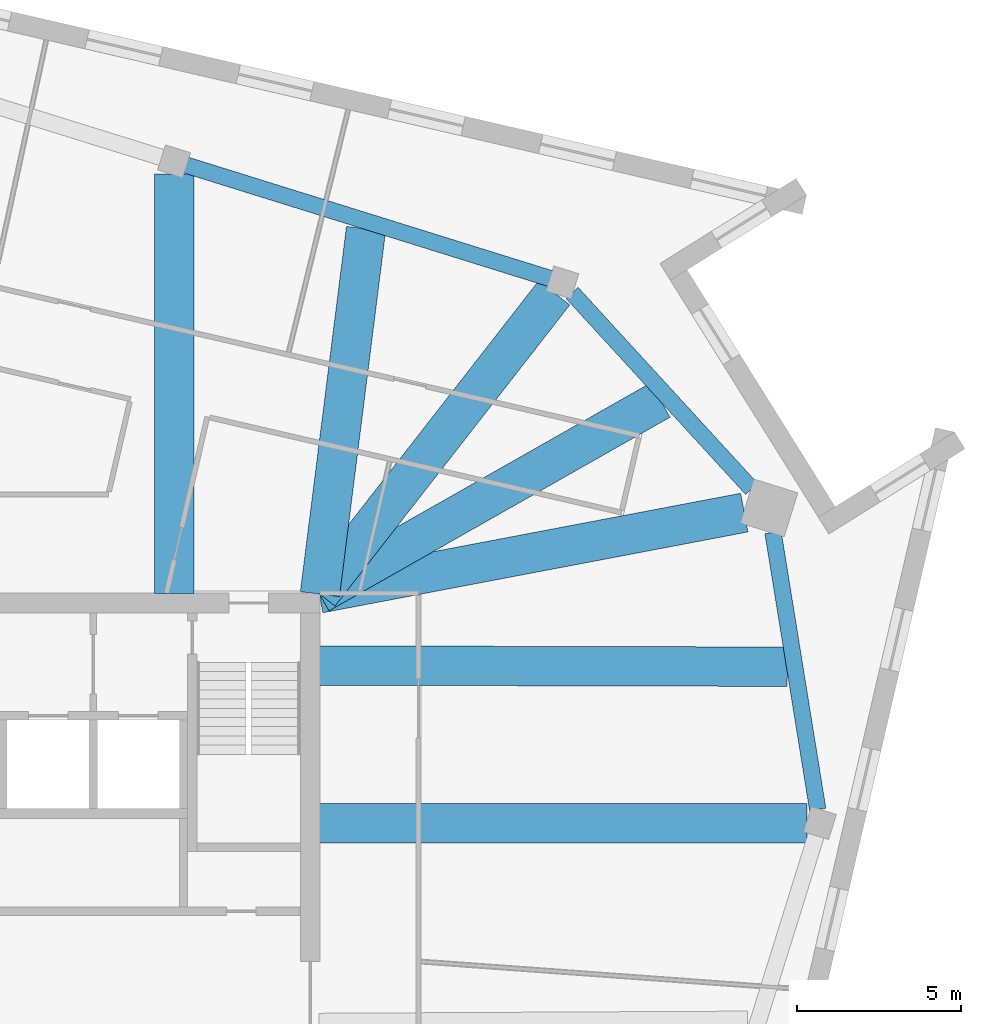
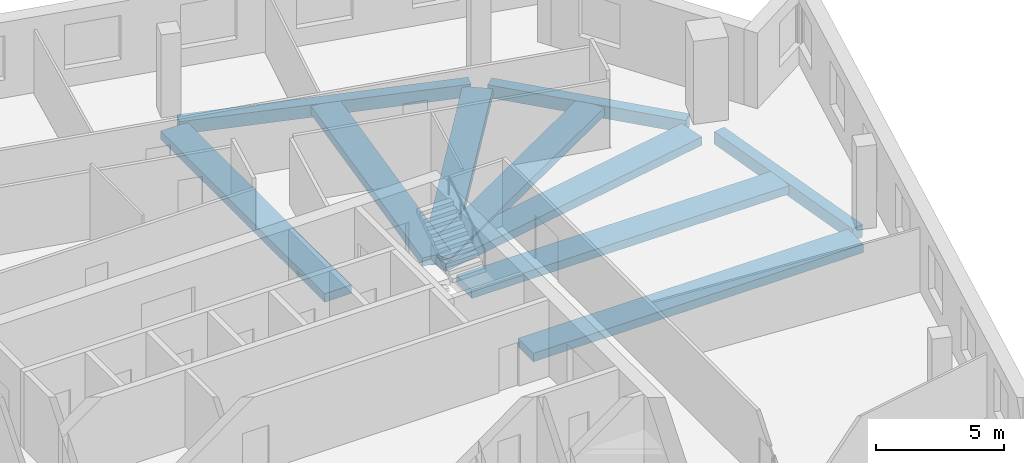
# One storey, part 3 of 14: 10 beams.
"""IFC4 building model written with IfcOpenShell, lengths in metres."""

from ifc_helpers import new_model, si_unit, direction, frame, origin, origin_2d, place, context, subcontext, project, spatial, rectangle, extrude, material, material_profile, profile_set, type_object, element, save


model = new_model("IFC4")

# Units and contexts
model_context = context("Model", 3, precision=1e-05, world=origin(), true_north=direction((0.0, 1.0)))
body_context = subcontext(model_context, "Body", "Model", "MODEL_VIEW")
ifc_project = project(units=[si_unit("LENGTHUNIT", "METRE"), si_unit("AREAUNIT", "SQUARE_METRE"), si_unit("VOLUMEUNIT", "CUBIC_METRE"), si_unit("PLANEANGLEUNIT", "RADIAN"), si_unit("MASSUNIT", "GRAM", prefix="KILO")], contexts=[model_context])

# Site, building, storey
site_placement = place(None, origin())
site = spatial("IfcSite", under=ifc_project, at=site_placement, CompositionType="ELEMENT")
building_placement = place(site_placement, origin())
building = spatial("IfcBuilding", under=site, at=building_placement, Name="Dilmun Exchange Tower", CompositionType="ELEMENT")
storey_placement = place(building_placement, frame((0.0, 0.0, 336.5)))
storey = spatial("IfcBuildingStorey", under=building, at=storey_placement, Name="L80", CompositionType="ELEMENT", Elevation=336.5)

# Beams
ifc_material = material(Name="Concrete C40/50", Category="concrete")
ifc_material_profile_1 = material_profile(ifc_material, rectangle(XDim=1.199951171875, YDim=0.39990234375, at=origin_2d()), Name="1200 x 400")
ifc_profile_set_1 = profile_set([ifc_material_profile_1], Name="Concrete C40/50")
beam_type_1 = type_object("IfcBeamType", Name="RC band beam 1200 x 400 C40/50", PredefinedType="BEAM", material=ifc_profile_set_1)
beam_1_placement = place(storey_placement, frame((27.216064453125, 5.406005859375, -0.64990234375), z_axis=(-1.0, 0.0, 0.0), x_axis=(0.0, -1.0, 0.0)))
element("IfcBeam", 1, at=beam_1_placement, inside=storey, type_object=beam_type_1, Name="Band beam 12", PredefinedType="BEAM", context=body_context, shape_type="SweptSolid", body=[
    extrude(rectangle(XDim=1.199951171875, YDim=0.39990234375, at=origin_2d()), origin(), (0.0, 0.0, 1.0), 14.843017578125),
])
beam_2_placement = place(storey_placement, frame((25.30712890625, 14.85205078125, -0.64990234375), z_axis=(-0.982429348436, -0.18663487169, 0.0), x_axis=(0.18663487169, -0.982429348436, 0.0)))
element("IfcBeam", 2, at=beam_2_placement, inside=storey, type_object=beam_type_1, Name="Band beam 13", PredefinedType="BEAM", context=body_context, shape_type="SweptSolid", body=[
    extrude(rectangle(XDim=1.199951171875, YDim=0.39990234375, at=origin_2d()), origin(), (0.0, 0.0, 1.0), 13.164794921875),
])
beam_3_placement = place(storey_placement, frame((19.52685546875, 21.541259765625, -0.64990234375), z_axis=(-0.614856714099, -0.788638840743, 0.0), x_axis=(0.788638840743, -0.614856714099, 0.0)))
element("IfcBeam", 3, at=beam_3_placement, inside=storey, type_object=beam_type_1, Name="Band beam 14", PredefinedType="BEAM", context=body_context, shape_type="SweptSolid", body=[
    extrude(rectangle(XDim=1.199951171875, YDim=0.39990234375, at=origin_2d()), origin(), (0.0, 0.0, 1.0), 11.6181640625),
])
beam_4_placement = place(storey_placement, frame((7.9580078125, 25.14697265625, -0.64990234375), z_axis=(0.0, -1.0, 0.0), x_axis=(1.0, 0.0, 0.0)))
element("IfcBeam", 4, at=beam_4_placement, inside=storey, type_object=beam_type_1, Name="Band beam 15", PredefinedType="BEAM", context=body_context, shape_type="SweptSolid", body=[
    extrude(rectangle(XDim=1.199951171875, YDim=0.39990234375, at=origin_2d()), origin(), (0.0, 0.0, 1.0), 12.77392578125),
])
beam_5_placement = place(storey_placement, frame((26.614013671875, 10.1650390625, -0.550048828125), z_axis=(-0.999996910379, 0.002485806038, 0.0), x_axis=(-0.002485806038, -0.999996910379, 0.0)))
element("IfcBeam", 5, at=beam_5_placement, inside=storey, type_object=beam_type_1, Name="Band beam 28", PredefinedType="BEAM", context=body_context, shape_type="SweptSolid", body=[
    extrude(rectangle(XDim=1.199951171875, YDim=0.39990234375, at=origin_2d()), origin(), (0.0, 0.0, 1.0), 14.240966796875),
])
beam_6_placement = place(storey_placement, frame((22.752197265625, 18.275390625, -0.550048828125), z_axis=(-0.869690188955, -0.493597989496, 0.0), x_axis=(0.493597989496, -0.869690188955, 0.0)))
element("IfcBeam", 6, at=beam_6_placement, inside=storey, type_object=beam_type_1, Name="Band beam 29", PredefinedType="BEAM", context=body_context, shape_type="SweptSolid", body=[
    extrude(rectangle(XDim=1.199951171875, YDim=0.39990234375, at=origin_2d()), origin(), (0.0, 0.0, 1.0), 11.93017578125),
])
beam_7_placement = place(storey_placement, frame((13.79931640625, 23.485107421875, -0.550048828125), z_axis=(-0.125252659456, -0.992124876867, 0.0), x_axis=(0.992124876867, -0.125252659456, 0.0)))
element("IfcBeam", 7, at=beam_7_placement, inside=storey, type_object=beam_type_1, Name="Band beam 30", PredefinedType="BEAM", context=body_context, shape_type="SweptSolid", body=[
    extrude(rectangle(XDim=1.199951171875, YDim=0.39990234375, at=origin_2d()), origin(), (0.0, 0.0, 1.0), 11.199951171875),
])
ifc_material_profile_2 = material_profile(ifc_material, rectangle(XDim=0.5, YDim=0.60009765625, at=origin_2d()), Name="500 x 600")
ifc_profile_set_2 = profile_set([ifc_material_profile_2], Name="Concrete C40/50")
beam_type_2 = type_object("IfcBeamType", Name="RC ring beam 500 x 600 C40/50", PredefinedType="SPANDREL", material=ifc_profile_set_2)
beam_8_placement = place(storey_placement, frame((27.541015625, 5.820556640625, -0.64990234375), z_axis=(-0.159356501233, 0.987221102649, 0.0), x_axis=(-0.987221102649, -0.159356501233, 0.0)))
element("IfcBeam", 8, at=beam_8_placement, inside=storey, type_object=beam_type_2, Name="Ring beam 12", PredefinedType="SPANDREL", context=body_context, shape_type="SweptSolid", body=[
    extrude(rectangle(XDim=0.5, YDim=0.60009765625, at=origin_2d()), origin(), (0.0, 0.0, 1.0), 8.5380859375),
])
beam_9_placement = place(storey_placement, frame((25.531005859375, 15.572265625, -0.64990234375), z_axis=(-0.675535971399, 0.737327031476, 0.0), x_axis=(-0.737327031476, -0.675535971399, 0.0)))
element("IfcBeam", 9, at=beam_9_placement, inside=storey, type_object=beam_type_2, Name="Ring beam 13", PredefinedType="SPANDREL", context=body_context, shape_type="SweptSolid", body=[
    extrude(rectangle(XDim=0.5, YDim=0.60009765625, at=origin_2d()), origin(), (0.0, 0.0, 1.0), 8.087890625),
])
beam_10_placement = place(storey_placement, frame((19.4169921875, 21.968017578125, -0.64990234375), z_axis=(-0.95471613385, 0.297518241065, 0.0), x_axis=(-0.297518241065, -0.95471613385, 0.0)))
element("IfcBeam", 10, at=beam_10_placement, inside=storey, type_object=beam_type_2, Name="Ring beam 14", PredefinedType="SPANDREL", context=body_context, shape_type="SweptSolid", body=[
    extrude(rectangle(XDim=0.5, YDim=0.60009765625, at=origin_2d()), origin(), (0.0, 0.0, 1.0), 11.62939453125),
])

save(model, "model.ifc")
